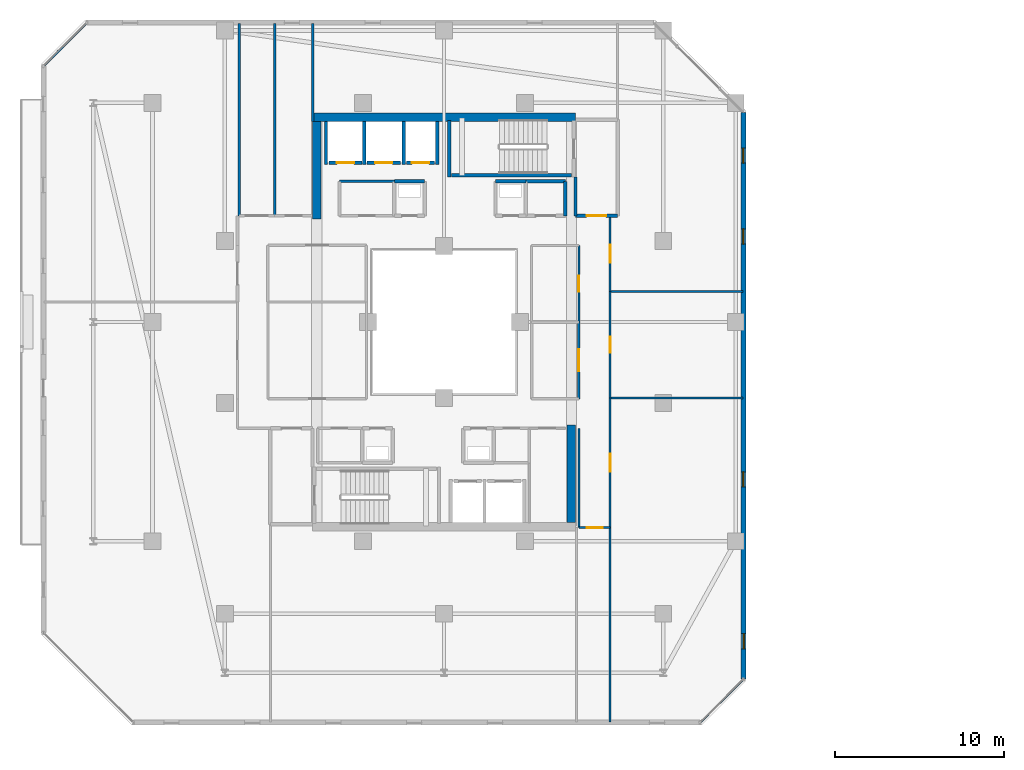
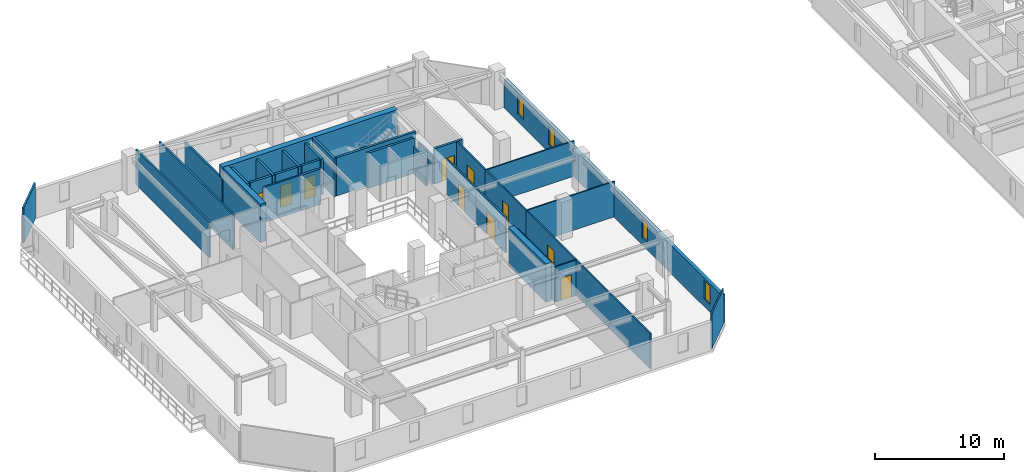
# One storey, part 20 of 32: 35 walls, 10 doors, 4 windows, 14 openings.
"""IFC4 building model written with IfcOpenShell, lengths in metres."""

import ifcopenshell
import ifcopenshell.guid

model = None  # the IFC model being written
_history = None  # IfcOwnerHistory: only IFC2X3 demands one
_inside = {}  # id of a spatial element -> (the spatial element, [elements in it])
_under = {}  # id of a project, library or spatial element -> (it, [spatial elements below it])
_declared = {}  # id of a project -> (the project, [libraries it declares])
_typed = {}  # id of a type object -> (the type object, [elements of that type])
_made_of = {}  # id of a material, layer set ... -> (it, [elements and type objects made of it])


def new_model(schema):
    """Start an empty IFC model of exactly this schema.

    Asked for "IFC4X3", IfcOpenShell would pick the latest addendum, in which some entities
    have other attributes; the version numbers below select the first issue.
    IFC2X3 requires an IfcOwnerHistory on every rooted entity: one is made here for all.
    """
    global model, _history
    if schema == "IFC4X3":
        model = ifcopenshell.file(schema_version=(4, 3, 0, 0))
    else:
        model = ifcopenshell.file(schema=schema)
    _inside.clear()
    _under.clear()
    _declared.clear()
    _typed.clear()
    _made_of.clear()
    _history = None
    if model.schema == "IFC2X3":
        org = make("IfcOrganization", Name="unknown")
        user = make(
            "IfcPersonAndOrganization",
            ThePerson=make("IfcPerson", FamilyName="unknown"),
            TheOrganization=org,
        )
        app = make(
            "IfcApplication",
            ApplicationDeveloper=org,
            Version="unknown",
            ApplicationFullName="unknown",
            ApplicationIdentifier="unknown",
        )
        _history = make(
            "IfcOwnerHistory",
            OwningUser=user,
            OwningApplication=app,
            ChangeAction="ADDED",
            CreationDate=0,
        )
    return model


def make(cls, **values):
    """One entity of the class cls with the attributes given. An attribute that is None is left unset."""
    return model.create_entity(
        cls, **{name: value for name, value in values.items() if value is not None}
    )


def rooted(cls, **values):
    """An entity with a GlobalId (a new one), such as an element, a storey or a relation."""
    return make(cls, GlobalId=ifcopenshell.guid.new(), OwnerHistory=_history, **values)


def si_unit(unit_type, name, prefix=None):
    """IfcSIUnit, for example si_unit("LENGTHUNIT", "METRE", prefix="MILLI")."""
    return make("IfcSIUnit", UnitType=unit_type, Prefix=prefix, Name=name)


def assignment(units):
    """IfcUnitAssignment: the units of a project."""
    return None if units is None else make("IfcUnitAssignment", Units=units)


def point(xyz):
    """IfcCartesianPoint."""
    return None if xyz is None else make("IfcCartesianPoint", Coordinates=xyz)


def direction(xyz):
    """IfcDirection."""
    return None if xyz is None else make("IfcDirection", DirectionRatios=xyz)


def frame(location, z_axis=None, x_axis=None):
    """IfcAxis2Placement3D, a coordinate frame: its origin and axes. An axis left out is left unset."""
    return make(
        "IfcAxis2Placement3D",
        Location=point(location),
        Axis=direction(z_axis),
        RefDirection=direction(x_axis),
    )


def frame_2d(location, x_axis=None):
    """IfcAxis2Placement2D, a coordinate frame in the plane: its origin and x axis."""
    return make(
        "IfcAxis2Placement2D", Location=point(location), RefDirection=direction(x_axis)
    )


def origin():
    """The frame at (0, 0, 0) with its axes left unset."""
    return frame((0.0, 0.0, 0.0))


def place(relative_to, where):
    """IfcLocalPlacement: puts the frame where relative to a parent placement (None: the world)."""
    return make(
        "IfcLocalPlacement", PlacementRelTo=relative_to, RelativePlacement=where
    )


def context(
    kind, dimensions, precision=None, world=None, true_north=None, identifier=None
):
    """IfcGeometricRepresentationContext, for example the 3D "Model" context."""
    return make(
        "IfcGeometricRepresentationContext",
        ContextIdentifier=identifier,
        ContextType=kind,
        CoordinateSpaceDimension=dimensions,
        Precision=precision,
        WorldCoordinateSystem=world,
        TrueNorth=true_north,
    )


def subcontext(parent, identifier, kind, view, scale=None):
    """IfcGeometricRepresentationSubContext, for example "Body" below "Model"."""
    return make(
        "IfcGeometricRepresentationSubContext",
        ContextIdentifier=identifier,
        ContextType=kind,
        ParentContext=parent,
        TargetScale=scale,
        TargetView=view,
    )


def project(units=None, contexts=None):
    """IfcProject with its units and contexts."""
    return rooted(
        "IfcProject",
        Name="project",
        RepresentationContexts=contexts,
        UnitsInContext=assignment(units),
    )


def spatial(cls, under=None, at=None, **own):
    """A site, building, storey or space (cls), placed at a placement, below another one or the project."""
    s = rooted(cls, ObjectPlacement=at, **own)
    if under is not None:
        _under.setdefault(under.id(), (under, []))[1].append(s)
    return s


def profile(cls, at=None, kind="AREA", **sizes):
    """A parametric profile (cls). Its sizes go by their IFC names, for example OverallWidth=200.0."""
    return make(cls, ProfileType=kind, Position=at, **sizes)


def rectangle(**sizes):
    """IfcRectangleProfileDef."""
    return profile("IfcRectangleProfileDef", **sizes)


def extrude(swept, where, along, depth):
    """IfcExtrudedAreaSolid: the profile swept, set in the frame where, extruded along a direction by depth."""
    return make(
        "IfcExtrudedAreaSolid",
        SweptArea=swept,
        Position=where,
        ExtrudedDirection=direction(along),
        Depth=depth,
    )


def shape(context_of_items, identifier, shape_type, items):
    """IfcShapeRepresentation: the items that make up one representation, for example the "Body"."""
    return make(
        "IfcShapeRepresentation",
        ContextOfItems=context_of_items,
        RepresentationIdentifier=identifier,
        RepresentationType=shape_type,
        Items=items,
    )


def material(Name=None, Category=None):
    """IfcMaterial."""
    return make("IfcMaterial", Name=Name, Category=Category)


def layer(
    of_material, thickness, ventilated=None, Name=None, Category=None, Priority=None
):
    """IfcMaterialLayer: one layer of a wall or slab, of a material (None: an air gap)."""
    return make(
        "IfcMaterialLayer",
        Material=of_material,
        LayerThickness=thickness,
        IsVentilated=ventilated,
        Name=Name,
        Category=Category,
        Priority=Priority,
    )


def layer_set(layers, Name=None):
    """IfcMaterialLayerSet."""
    return make("IfcMaterialLayerSet", MaterialLayers=layers, LayerSetName=Name)


def made_of(thing, what):
    """Note that an element or type object is made of a material, layer set ...; save() writes the relation."""
    if what is not None:
        _made_of.setdefault(what.id(), (what, []))[1].append(thing)
    return thing


def type_object(cls, material=None, **own):
    """A type object (cls), such as IfcWallType, which elements share."""
    return made_of(rooted(cls, **own), material)


def element(
    cls,
    number,
    at=None,
    inside=None,
    cuts=None,
    type_object=None,
    material=None,
    context=None,
    identifier="Body",
    shape_type=None,
    held_by="IfcProductDefinitionShape",
    body=None,
    shapes=None,
    **own,
):
    """One element of the class cls, such as IfcWall. Its Tag is "e" and its number.

    at: its placement. inside: the storey or other place that contains it. cuts: it is an
    opening in that element (IfcRelVoidsElement). A single representation is given by context,
    identifier, shape_type and body (its items); several are given by shapes. held_by: the class
    of the entity that holds the representations. save() writes the other relations.
    """
    e = rooted(cls, Tag="e%d" % number, ObjectPlacement=at, **own)
    if body is not None:
        shapes = [shape(context, identifier, shape_type, body)]
    if shapes is not None:
        e.Representation = make(held_by, Representations=shapes)
    if inside is not None:
        _inside.setdefault(inside.id(), (inside, []))[1].append(e)
    if cuts is not None:
        rooted(
            "IfcRelVoidsElement", RelatingBuildingElement=cuts, RelatedOpeningElement=e
        )
    if type_object is not None:
        _typed.setdefault(type_object.id(), (type_object, []))[1].append(e)
    return made_of(e, material)


def fill(opening, filler):
    """IfcRelFillsElement: the door or window that sits in an opening."""
    return rooted(
        "IfcRelFillsElement",
        RelatingOpeningElement=opening,
        RelatedBuildingElement=filler,
    )


def aggregate(whole, parts):
    """IfcRelAggregates: a whole, such as a stair, and the parts it consists of."""
    return rooted("IfcRelAggregates", RelatingObject=whole, RelatedObjects=parts)


def save(model, path):
    """Write the relations noted so far, then the file.

    IfcRelAggregates (storeys below a building ...), IfcRelContainedInSpatialStructure (elements
    in a storey), IfcRelDefinesByType, IfcRelAssociatesMaterial and IfcRelDeclares: one each for
    every whole, place, type object, material and project.
    """
    for whole, parts in _under.values():
        aggregate(whole, parts)
    for where, things in _inside.values():
        rooted(
            "IfcRelContainedInSpatialStructure",
            RelatedElements=things,
            RelatingStructure=where,
        )
    for kind, things in _typed.values():
        rooted("IfcRelDefinesByType", RelatedObjects=things, RelatingType=kind)
    for what, things in _made_of.values():
        rooted("IfcRelAssociatesMaterial", RelatedObjects=things, RelatingMaterial=what)
    for by, libraries in _declared.values():
        rooted("IfcRelDeclares", RelatingContext=by, RelatedDefinitions=libraries)
    model.write(path)


model = new_model("IFC4")

# Units and contexts
model_context = context("Model", 3, precision=1e-05, world=origin(), true_north=direction((0.0, 1.0)))
body_context = subcontext(model_context, "Body", "Model", "MODEL_VIEW")
ifc_project = project(units=[si_unit("LENGTHUNIT", "METRE"), si_unit("AREAUNIT", "SQUARE_METRE"), si_unit("VOLUMEUNIT", "CUBIC_METRE"), si_unit("PLANEANGLEUNIT", "RADIAN"), si_unit("MASSUNIT", "GRAM", prefix="KILO")], contexts=[model_context])

# Site, building, storey
site_placement = place(None, origin())
site = spatial("IfcSite", under=ifc_project, at=site_placement, CompositionType="ELEMENT")
building_placement = place(site_placement, origin())
building = spatial("IfcBuilding", under=site, at=building_placement, Name="Thornwick Lancets Civic Towers", CompositionType="ELEMENT")
storey_placement = place(building_placement, frame((0.0, 0.0, 240.300048828125)))
storey = spatial("IfcBuildingStorey", under=building, at=storey_placement, Name="L64", CompositionType="ELEMENT", Elevation=240.300048828125)

# Wall, opening, door
ifc_material_1 = material(Name="Concrete blockwork C40/50", Category="masonry")
ifc_layer_1 = layer(ifc_material_1, 0.199951171875, Name="Concrete blockwork C40/50")
ifc_layer_set_1 = layer_set([ifc_layer_1], Name="Concrete blockwork C40/50")
wall_type_1 = type_object("IfcWallType", Name="WALL_COMP_200", PredefinedType="STANDARD", material=ifc_layer_set_1)
wall_1_placement = place(storey_placement, frame((24.919921875, 36.449951171875, 0.0), z_axis=(0.0, 0.0, 1.0), x_axis=(-1.0, 0.0, 0.0)))
wall_1 = element("IfcWall", 1, at=wall_1_placement, inside=storey, type_object=wall_type_1, Name="L64 Hoistway Front Wall FL-A2", PredefinedType="STANDARD", context=body_context, shape_type="SweptSolid", body=[
    extrude(rectangle(XDim=1.639892578125, YDim=0.199951171875, at=frame_2d((0.81982421875, 0.0))), origin(), (0.0, 0.0, 1.0), 3.33984375),
])
opening_1_placement = place(wall_1_placement, frame((0.31005859375, 0.0, 0.0)))
opening_1 = element("IfcOpeningElement", 2, at=opening_1_placement, cuts=wall_1, Name="Opening LD-FL-A2", PredefinedType="OPENING", context=body_context, shape_type="SweptSolid", body=[
    extrude(rectangle(XDim=1.02001953125, YDim=2.06005859375, at=frame_2d((0.510009765625, 1.030029296875))), frame((0.0, 0.10986328125, 0.0), z_axis=(0.0, -1.0, 0.0), x_axis=(1.0, 0.0, 0.0)), (0.0, 0.0, 1.0), 0.219970703125),
])
ifc_material_2 = material(Name="Brushed bronze stainless steel", Category="steel")
door_type_1 = type_object("IfcDoorType", Name="DOOR_LIFT_SLIDE", OperationType="SLIDING_TO_LEFT", PredefinedType="DOOR", material=ifc_material_2)
door_1_placement = place(opening_1_placement, origin())
door_1 = element("IfcDoor", 3, at=door_1_placement, inside=storey, type_object=door_type_1, Name="L64 Sliding Lift Landing Door LD-FL-A2", OperationType="SLIDING_TO_LEFT", OverallHeight=2.06005859375, OverallWidth=1.02001953125, PredefinedType="DOOR", context=body_context, shape_type="SweptSolid", body=[
    extrude(rectangle(XDim=1.02001953125, YDim=2.06005859375, at=frame_2d((0.510009765625, 1.030029296875))), frame((0.0, 0.02490234375, 0.0), z_axis=(0.0, -1.0, 0.0), x_axis=(1.0, 0.0, 0.0)), (0.0, 0.0, 1.0), 0.050048828125),
])
fill(opening_1, door_1)

wall_2_placement = place(storey_placement, frame((22.919921875, 36.449951171875, 0.0), z_axis=(0.0, 0.0, 1.0), x_axis=(-1.0, 0.0, 0.0)))
wall_2 = element("IfcWall", 4, at=wall_2_placement, inside=storey, type_object=wall_type_1, Name="L64 Hoistway Front Wall PL-AH2", PredefinedType="STANDARD", context=body_context, shape_type="SweptSolid", body=[
    extrude(rectangle(XDim=1.989990234375, YDim=0.199951171875, at=frame_2d((0.9951171875, 0.0))), origin(), (0.0, 0.0, 1.0), 3.33984375),
])
opening_2_placement = place(wall_2_placement, frame((0.485107421875, 0.0, 0.0)))
opening_2 = element("IfcOpeningElement", 5, at=opening_2_placement, cuts=wall_2, Name="Opening LD-PL-AH2", PredefinedType="OPENING", context=body_context, shape_type="SweptSolid", body=[
    extrude(rectangle(XDim=1.02001953125, YDim=2.06005859375, at=frame_2d((0.510009765625, 1.030029296875))), frame((0.0, 0.10986328125, 0.0), z_axis=(0.0, -1.0, 0.0), x_axis=(1.0, 0.0, 0.0)), (0.0, 0.0, 1.0), 0.219970703125),
])
door_2_placement = place(opening_2_placement, origin())
door_2 = element("IfcDoor", 6, at=door_2_placement, inside=storey, type_object=door_type_1, Name="L64 Sliding Lift Landing Door LD-PL-AH2", OperationType="SLIDING_TO_LEFT", OverallHeight=2.06005859375, OverallWidth=1.02001953125, PredefinedType="DOOR", context=body_context, shape_type="SweptSolid", body=[
    extrude(rectangle(XDim=1.02001953125, YDim=2.06005859375, at=frame_2d((0.510009765625, 1.030029296875))), frame((0.0, 0.02490234375, 0.0), z_axis=(0.0, -1.0, 0.0), x_axis=(1.0, 0.0, 0.0)), (0.0, 0.0, 1.0), 0.050048828125),
])
fill(opening_2, door_2)

wall_3_placement = place(storey_placement, frame((20.6201171875, 36.449951171875, 0.0), z_axis=(0.0, 0.0, 1.0), x_axis=(-1.0, 0.0, 0.0)))
wall_3 = element("IfcWall", 7, at=wall_3_placement, inside=storey, type_object=wall_type_1, Name="L64 Hoistway Front Wall PL-AH3", PredefinedType="STANDARD", context=body_context, shape_type="SweptSolid", body=[
    extrude(rectangle(XDim=1.940185546875, YDim=0.199951171875, at=frame_2d((0.97021484375, 0.0))), origin(), (0.0, 0.0, 1.0), 3.33984375),
])
opening_3_placement = place(wall_3_placement, frame((0.4599609375, 0.0, 0.0)))
opening_3 = element("IfcOpeningElement", 8, at=opening_3_placement, cuts=wall_3, Name="Opening LD-PL-AH3", PredefinedType="OPENING", context=body_context, shape_type="SweptSolid", body=[
    extrude(rectangle(XDim=1.02001953125, YDim=2.06005859375, at=frame_2d((0.510009765625, 1.030029296875))), frame((0.0, 0.10986328125, 0.0), z_axis=(0.0, -1.0, 0.0), x_axis=(1.0, 0.0, 0.0)), (0.0, 0.0, 1.0), 0.219970703125),
])
door_3_placement = place(opening_3_placement, origin())
door_3 = element("IfcDoor", 9, at=door_3_placement, inside=storey, type_object=door_type_1, Name="L64 Sliding Lift Landing Door LD-PL-AH3", OperationType="SLIDING_TO_LEFT", OverallHeight=2.06005859375, OverallWidth=1.02001953125, PredefinedType="DOOR", context=body_context, shape_type="SweptSolid", body=[
    extrude(rectangle(XDim=1.02001953125, YDim=2.06005859375, at=frame_2d((0.510009765625, 1.030029296875))), frame((0.0, 0.02490234375, 0.0), z_axis=(0.0, -1.0, 0.0), x_axis=(1.0, 0.0, 0.0)), (0.0, 0.0, 1.0), 0.050048828125),
])
fill(opening_3, door_3)

# Walls
for number, where, z_axis, x_axis, name in (
    (10, (25.10009765625, 36.35205078125, 0.0), (0.0, 0.0, 1.0), (0.0, 1.0, 0.0), "L64 Hoistway Shaft Wall FL-A2 E"),
    (11, (23.10009765625, 36.35205078125, 0.0), (0.0, 0.0, 1.0), (0.0, 1.0, 0.0), "L64 Hoistway Shaft Wall FL-A2 W"),
    (12, (20.77490234375, 36.35205078125, 0.0), (0.0, 0.0, 1.0), (0.0, 1.0, 0.0), "L64 Hoistway Shaft Wall PL-AH2 W"),
    (13, (18.5, 36.35205078125, 0.0), (0.0, 0.0, 1.0), (0.0, 1.0, 0.0), "L64 Hoistway Shaft Wall PL-AH3 W"),
):
    element("IfcWall", number, at=place(storey_placement, frame(where, z_axis=z_axis, x_axis=x_axis)), inside=storey, type_object=wall_type_1, Name=name, PredefinedType="STANDARD", context=body_context, shape_type="SweptSolid", body=[
        extrude(rectangle(XDim=2.535888671875, YDim=0.199951171875, at=frame_2d((1.26806640625, 0.0))), origin(), (0.0, 0.0, 1.0), 3.33984375),
    ])

# Wall, opening, door
wall_4_placement = place(storey_placement, frame((33.300048828125, 33.300048828125, 0.0), z_axis=(0.0, 0.0, 1.0), x_axis=(1.0, 0.0, 0.0)))
wall_4 = element("IfcWall", 14, at=wall_4_placement, inside=storey, type_object=wall_type_1, Name="L64 Partition L64-A-FFLOB2 E1", PredefinedType="STANDARD", context=body_context, shape_type="SweptSolid", body=[
    extrude(rectangle(XDim=2.5, YDim=0.199951171875, at=frame_2d((1.25, 0.0))), origin(), (0.0, 0.0, 1.0), 3.33984375),
])
opening_4_placement = place(wall_4_placement, frame((0.659912109375, 0.0, 0.0)))
opening_4 = element("IfcOpeningElement", 15, at=opening_4_placement, cuts=wall_4, Name="Opening D-L64-2874", PredefinedType="OPENING", context=body_context, shape_type="SweptSolid", body=[
    extrude(rectangle(XDim=1.14990234375, YDim=2.10009765625, at=frame_2d((0.574951171875, 1.050048828125))), frame((0.0, 0.10986328125, 0.0), z_axis=(0.0, -1.0, 0.0), x_axis=(1.0, 0.0, 0.0)), (0.0, 0.0, 1.0), 0.219970703125),
])
ifc_material_3 = material(Name="Glazed fire-resisting steel", Category="steel")
door_type_2 = type_object("IfcDoorType", Name="DOOR_LOBBY_FD60", OperationType="NOTDEFINED", PredefinedType="DOOR", material=ifc_material_3)
door_4_placement = place(opening_4_placement, origin())
door_4 = element("IfcDoor", 16, at=door_4_placement, inside=storey, type_object=door_type_2, Name="L64 North Firefighting Lobby 2 Door", OperationType="SINGLE_SWING_LEFT", OverallHeight=2.10009765625, OverallWidth=1.14990234375, PredefinedType="DOOR", context=body_context, shape_type="SweptSolid", body=[
    extrude(rectangle(XDim=1.14990234375, YDim=2.10009765625, at=frame_2d((0.574951171875, 1.050048828125))), frame((0.0, 0.02490234375, 0.0), z_axis=(0.0, -1.0, 0.0), x_axis=(1.0, 0.0, 0.0)), (0.0, 0.0, 1.0), 0.050048828125),
])
fill(opening_4, door_4)

# Walls
wall_5_placement = place(storey_placement, frame((33.300048828125, 35.60009765625, 0.0), z_axis=(0.0, 0.0, 1.0), x_axis=(0.0, -1.0, 0.0)))
element("IfcWall", 17, at=wall_5_placement, inside=storey, type_object=wall_type_1, Name="L64 Partition L64-A-FFLOB2 E4", PredefinedType="STANDARD", context=body_context, shape_type="SweptSolid", body=[
    extrude(rectangle(XDim=2.300048828125, YDim=0.199951171875, at=frame_2d((1.14990234375, 0.0))), origin(), (0.0, 0.0, 1.0), 2.544921875),
])
for number, where, z_axis, x_axis, name in (
    (18, (24.35009765625, 35.35009765625, 0.0), (0.0, 0.0, 1.0), (-1.0, 0.0, 0.0), "L64 Partition L64-A-DUCT2 E3"),
    (19, (30.35009765625, 35.35009765625, 0.0), (0.0, 0.0, 1.0), (-1.0, 0.0, 0.0), "L64 Partition L64-A-RISER2 E3"),
):
    element("IfcWall", number, at=place(storey_placement, frame(where, z_axis=z_axis, x_axis=x_axis)), inside=storey, type_object=wall_type_1, Name=name, PredefinedType="STANDARD", context=body_context, shape_type="SweptSolid", body=[
        extrude(rectangle(XDim=1.800048828125, YDim=0.199951171875, at=frame_2d((0.89990234375, 0.0))), origin(), (0.0, 0.0, 1.0), 3.33984375),
    ])
wall_6_placement = place(storey_placement, frame((32.699951171875, 35.35009765625, 0.0), z_axis=(0.0, 0.0, 1.0), x_axis=(0.0, -1.0, 0.0)))
element("IfcWall", 20, at=wall_6_placement, inside=storey, type_object=wall_type_1, Name="L64 Partition L64-A-STR E1", PredefinedType="STANDARD", context=body_context, shape_type="SweptSolid", body=[
    extrude(rectangle(XDim=2.050048828125, YDim=0.199951171875, at=frame_2d((1.02490234375, 0.0))), origin(), (0.0, 0.0, 1.0), 2.544921875),
])
wall_7_placement = place(storey_placement, frame((30.35009765625, 35.35009765625, 0.0), z_axis=(0.0, 0.0, 1.0), x_axis=(1.0, 0.0, 0.0)))
element("IfcWall", 21, at=wall_7_placement, inside=storey, type_object=wall_type_1, Name="L64 Partition L64-A-STR E4", PredefinedType="STANDARD", context=body_context, shape_type="SweptSolid", body=[
    extrude(rectangle(XDim=2.349853515625, YDim=0.199951171875, at=frame_2d((1.1748046875, 0.0))), origin(), (0.0, 0.0, 1.0), 3.33984375),
])
ifc_material_4 = material(Name="Concrete C50/60", Category="concrete")
ifc_layer_2 = layer(ifc_material_4, 0.5, Name="Concrete C50/60")
ifc_layer_set_2 = layer_set([ifc_layer_2], Name="Concrete C50/60")
wall_type_2 = type_object("IfcWallType", Name="WALL_CORE_500", PredefinedType="SHEAR", material=ifc_layer_set_2)
wall_8_placement = place(storey_placement, frame((33.050048828125, 15.10009765625, 0.0), z_axis=(0.0, 0.0, 1.0), x_axis=(0.0, 1.0, 0.0)))
element("IfcWall", 22, at=wall_8_placement, inside=storey, type_object=wall_type_2, Name="L64 Split Core A1 Shear Wall E", PredefinedType="SHEAR", context=body_context, shape_type="SweptSolid", body=[
    extrude(rectangle(XDim=5.7998046875, YDim=0.5, at=frame_2d((2.89990234375, 0.0))), origin(), (0.0, 0.0, 1.0), 3.599853515625),
])
wall_9_placement = place(storey_placement, frame((17.699951171875, 39.14990234375, 0.0), z_axis=(0.0, 0.0, 1.0), x_axis=(1.0, 0.0, 0.0)))
element("IfcWall", 23, at=wall_9_placement, inside=storey, type_object=wall_type_2, Name="L64 Split Core A2 Shear Wall N", PredefinedType="SHEAR", context=body_context, shape_type="SweptSolid", body=[
    extrude(rectangle(XDim=15.60009765625, YDim=0.5, at=frame_2d((7.800048828125, 0.0))), origin(), (0.0, 0.0, 1.0), 3.599853515625),
])
wall_10_placement = place(storey_placement, frame((17.949951171875, 33.10009765625, 0.0), z_axis=(0.0, 0.0, 1.0), x_axis=(0.0, 1.0, 0.0)))
element("IfcWall", 24, at=wall_10_placement, inside=storey, type_object=wall_type_2, Name="L64 Split Core A2 Shear Wall W", PredefinedType="SHEAR", context=body_context, shape_type="SweptSolid", body=[
    extrude(rectangle(XDim=5.7998046875, YDim=0.5, at=frame_2d((2.89990234375, 0.0))), origin(), (0.0, 0.0, 1.0), 3.599853515625),
])

# Wall, openings, windows
ifc_material_5 = material(Name="Insulated russet terracotta rainscreen on concrete C40/50", Category="masonry")
ifc_layer_3 = layer(ifc_material_5, 0.300048828125, Name="Insulated russet terracotta rainscreen on concrete C40/50")
ifc_layer_set_3 = layer_set([ifc_layer_3], Name="Insulated russet terracotta rainscreen on concrete C40/50")
wall_type_3 = type_object("IfcWallType", Name="WALL_EXT_RUSSET_300", PredefinedType="STANDARD", material=ifc_layer_set_3)
wall_11_placement = place(storey_placement, frame((43.2646484375, 5.818603515625, 0.0), z_axis=(0.0, 0.0, 1.0), x_axis=(-0.000268805477, 0.999999963872, 0.0)))
wall_11 = element("IfcWall", 25, at=wall_11_placement, inside=storey, type_object=wall_type_3, Name="L64 Tower A Terracotta Facade Wall E2", PredefinedType="STANDARD", context=body_context, shape_type="SweptSolid", body=[
    extrude(rectangle(XDim=33.60498046875, YDim=0.300048828125, at=frame_2d((16.802490234375, 0.0))), origin(), (0.0, 0.0, 1.0), 2.699951171875),
])
opening_5_placement = place(wall_11_placement, frame((1.800048828125, 0.0, 0.719970703125)))
opening_5 = element("IfcOpeningElement", 26, at=opening_5_placement, cuts=wall_11, Name="Opening WL-01", PredefinedType="OPENING", context=body_context, shape_type="SweptSolid", body=[
    extrude(rectangle(XDim=0.89990234375, YDim=1.75, at=frame_2d((0.449951171875, 0.875))), frame((0.0, 0.16015625, 0.0), z_axis=(0.0, -1.0, 0.0), x_axis=(1.0, 0.0, 0.0)), (0.0, 0.0, 1.0), 0.320068359375),
])
opening_6_placement = place(wall_11_placement, frame((11.39990234375, 0.0, 0.719970703125)))
opening_6 = element("IfcOpeningElement", 27, at=opening_6_placement, cuts=wall_11, Name="Opening WL-01", PredefinedType="OPENING", context=body_context, shape_type="SweptSolid", body=[
    extrude(rectangle(XDim=0.89990234375, YDim=1.75, at=frame_2d((0.449951171875, 0.875))), frame((0.0, 0.16015625, 0.0), z_axis=(0.0, -1.0, 0.0), x_axis=(1.0, 0.0, 0.0)), (0.0, 0.0, 1.0), 0.320068359375),
])
opening_7_placement = place(wall_11_placement, frame((25.800048828125, 0.0, 0.719970703125)))
opening_7 = element("IfcOpeningElement", 28, at=opening_7_placement, cuts=wall_11, Name="Opening WL-01", PredefinedType="OPENING", context=body_context, shape_type="SweptSolid", body=[
    extrude(rectangle(XDim=0.89990234375, YDim=1.75, at=frame_2d((0.449951171875, 0.875))), frame((0.0, 0.16015625, 0.0), z_axis=(0.0, -1.0, 0.0), x_axis=(1.0, 0.0, 0.0)), (0.0, 0.0, 1.0), 0.320068359375),
])
opening_8_placement = place(wall_11_placement, frame((30.60009765625, 0.0, 0.719970703125)))
opening_8 = element("IfcOpeningElement", 29, at=opening_8_placement, cuts=wall_11, Name="Opening WL-01", PredefinedType="OPENING", context=body_context, shape_type="SweptSolid", body=[
    extrude(rectangle(XDim=0.89990234375, YDim=1.75, at=frame_2d((0.449951171875, 0.875))), frame((0.0, 0.16015625, 0.0), z_axis=(0.0, -1.0, 0.0), x_axis=(1.0, 0.0, 0.0)), (0.0, 0.0, 1.0), 0.320068359375),
])
ifc_material_6 = material(Name="Clear low-e double glazing in bronze frame", Category="glass")
window_type = type_object("IfcWindowType", Name="WIN_LANCET_900", PartitioningType="SINGLE_PANEL", PredefinedType="WINDOW", material=ifc_material_6)
window_1_placement = place(opening_5_placement, origin())
window_1 = element("IfcWindow", 30, at=window_1_placement, inside=storey, type_object=window_type, Name="L64 Tower A Staggered Lancet Window E2-1", OverallHeight=1.75, OverallWidth=0.89990234375, PartitioningType="SINGLE_PANEL", PredefinedType="WINDOW", context=body_context, shape_type="SweptSolid", body=[
    extrude(rectangle(XDim=0.89990234375, YDim=1.75, at=frame_2d((0.449951171875, 0.875))), frame((0.0, 0.030029296875, 0.0), z_axis=(0.0, -1.0, 0.0), x_axis=(1.0, 0.0, 0.0)), (0.0, 0.0, 1.0), 0.06005859375),
])
fill(opening_5, window_1)
window_2_placement = place(opening_6_placement, origin())
window_2 = element("IfcWindow", 31, at=window_2_placement, inside=storey, type_object=window_type, Name="L64 Tower A Staggered Lancet Window E2-2", OverallHeight=1.75, OverallWidth=0.89990234375, PartitioningType="SINGLE_PANEL", PredefinedType="WINDOW", context=body_context, shape_type="SweptSolid", body=[
    extrude(rectangle(XDim=0.89990234375, YDim=1.75, at=frame_2d((0.449951171875, 0.875))), frame((0.0, 0.030029296875, 0.0), z_axis=(0.0, -1.0, 0.0), x_axis=(1.0, 0.0, 0.0)), (0.0, 0.0, 1.0), 0.06005859375),
])
fill(opening_6, window_2)
window_3_placement = place(opening_7_placement, origin())
window_3 = element("IfcWindow", 32, at=window_3_placement, inside=storey, type_object=window_type, Name="L64 Tower A Staggered Lancet Window E2-3", OverallHeight=1.75, OverallWidth=0.89990234375, PartitioningType="SINGLE_PANEL", PredefinedType="WINDOW", context=body_context, shape_type="SweptSolid", body=[
    extrude(rectangle(XDim=0.89990234375, YDim=1.75, at=frame_2d((0.449951171875, 0.875))), frame((0.0, 0.030029296875, 0.0), z_axis=(0.0, -1.0, 0.0), x_axis=(1.0, 0.0, 0.0)), (0.0, 0.0, 1.0), 0.06005859375),
])
fill(opening_7, window_3)
window_4_placement = place(opening_8_placement, origin())
window_4 = element("IfcWindow", 33, at=window_4_placement, inside=storey, type_object=window_type, Name="L64 Tower A Staggered Lancet Window E2-4", OverallHeight=1.75, OverallWidth=0.89990234375, PartitioningType="SINGLE_PANEL", PredefinedType="WINDOW", context=body_context, shape_type="SweptSolid", body=[
    extrude(rectangle(XDim=0.89990234375, YDim=1.75, at=frame_2d((0.449951171875, 0.875))), frame((0.0, 0.030029296875, 0.0), z_axis=(0.0, -1.0, 0.0), x_axis=(1.0, 0.0, 0.0)), (0.0, 0.0, 1.0), 0.06005859375),
])
fill(opening_8, window_4)

# Wall
ifc_material_7 = material(Name="Acoustic gypsum board partition")
ifc_layer_4 = layer(ifc_material_7, 0.1201171875, Name="Acoustic gypsum board partition")
ifc_layer_set_4 = layer_set([ifc_layer_4], Name="Acoustic gypsum board partition")
wall_type_4 = type_object("IfcWallType", Name="WALL_PART_120", PredefinedType="PARTITIONING", material=ifc_layer_set_4)
wall_12_placement = place(storey_placement, frame((33.5, 20.699951171875, 0.0), z_axis=(0.0, 0.0, 1.0), x_axis=(0.0, -1.0, 0.0)))
element("IfcWall", 34, at=wall_12_placement, inside=storey, type_object=wall_type_4, Name="L64 Partition L64-A-RECLAIM-L E1", PredefinedType="PARTITIONING", context=body_context, shape_type="SweptSolid", body=[
    extrude(rectangle(XDim=5.89990234375, YDim=0.1201171875, at=frame_2d((2.949951171875, 0.0))), origin(), (0.0, 0.0, 1.0), 3.33984375),
])

# Wall, opening, door
wall_13_placement = place(storey_placement, frame((33.5, 14.800048828125, 0.0), z_axis=(0.0, 0.0, 1.0), x_axis=(1.0, 0.0, 0.0)))
wall_13 = element("IfcWall", 35, at=wall_13_placement, inside=storey, type_object=wall_type_4, Name="L64 Partition L64-A-RECLAIM-L E2", PredefinedType="PARTITIONING", context=body_context, shape_type="SweptSolid", body=[
    extrude(rectangle(XDim=1.85009765625, YDim=0.1201171875, at=frame_2d((0.925048828125, 0.0))), origin(), (0.0, 0.0, 1.0), 3.33984375),
])
opening_9_placement = place(wall_13_placement, frame((0.449951171875, 0.0, 0.0)))
opening_9 = element("IfcOpeningElement", 36, at=opening_9_placement, cuts=wall_13, Name="Opening D-L64-2895", PredefinedType="OPENING", context=body_context, shape_type="SweptSolid", body=[
    extrude(rectangle(XDim=0.949951171875, YDim=2.10009765625, at=frame_2d((0.47509765625, 1.050048828125))), frame((0.0, 0.070068359375, 0.0), z_axis=(0.0, -1.0, 0.0), x_axis=(1.0, 0.0, 0.0)), (0.0, 0.0, 1.0), 0.14013671875),
])
ifc_material_8 = material(Name="European oak acoustic doorset")
door_type_3 = type_object("IfcDoorType", Name="DOOR_OFFICE_950", OperationType="NOTDEFINED", PredefinedType="DOOR", material=ifc_material_8)
door_5_placement = place(opening_9_placement, origin())
door_5 = element("IfcDoor", 37, at=door_5_placement, inside=storey, type_object=door_type_3, Name="L64 Tower A Parliamentary Drafting Library Door", OperationType="SINGLE_SWING_RIGHT", OverallHeight=2.10009765625, OverallWidth=0.949951171875, PredefinedType="DOOR", context=body_context, shape_type="SweptSolid", body=[
    extrude(rectangle(XDim=0.949951171875, YDim=2.10009765625, at=frame_2d((0.47509765625, 1.050048828125))), frame((0.0, 0.02490234375, 0.0), z_axis=(0.0, -1.0, 0.0), x_axis=(1.0, 0.0, 0.0)), (0.0, 0.0, 1.0), 0.050048828125),
])
fill(opening_9, door_5)

# Wall
wall_14_placement = place(storey_placement, frame((35.35009765625, 14.800048828125, 0.0), z_axis=(0.0, 0.0, 1.0), x_axis=(0.0, -1.0, 0.0)))
element("IfcWall", 38, at=wall_14_placement, inside=storey, type_object=wall_type_4, Name="L64 Partition L64-A-RECLAIM-L E3", PredefinedType="PARTITIONING", context=body_context, shape_type="SweptSolid", body=[
    extrude(rectangle(XDim=11.52001953125, YDim=0.1201171875, at=frame_2d((5.760009765625, 0.0))), origin(), (0.0, 0.0, 1.0), 3.33984375),
])

# Wall, opening, door
wall_15_placement = place(storey_placement, frame((35.35009765625, 14.800048828125, 0.0), z_axis=(0.0, 0.0, 1.0), x_axis=(0.0, 1.0, 0.0)))
wall_15 = element("IfcWall", 39, at=wall_15_placement, inside=storey, type_object=wall_type_4, Name="L64 Partition L64-A-E1 E3", PredefinedType="PARTITIONING", context=body_context, shape_type="SweptSolid", body=[
    extrude(rectangle(XDim=7.699951171875, YDim=0.1201171875, at=frame_2d((3.85009765625, 0.0))), origin(), (0.0, 0.0, 1.0), 3.33984375),
])
opening_10_placement = place(wall_15_placement, frame((3.324951171875, 0.0, 0.0)))
opening_10 = element("IfcOpeningElement", 40, at=opening_10_placement, cuts=wall_15, Name="Opening D-L64-2902", PredefinedType="OPENING", context=body_context, shape_type="SweptSolid", body=[
    extrude(rectangle(XDim=1.050048828125, YDim=2.10009765625, at=frame_2d((0.52490234375, 1.050048828125))), frame((0.0, 0.070068359375, 0.0), z_axis=(0.0, -1.0, 0.0), x_axis=(1.0, 0.0, 0.0)), (0.0, 0.0, 1.0), 0.14013671875),
])
ifc_material_9 = material(Name="Glazed European oak executive doorset")
door_type_4 = type_object("IfcDoorType", Name="DOOR_OFFICE_1050", OperationType="NOTDEFINED", PredefinedType="DOOR", material=ifc_material_9)
door_6_placement = place(opening_10_placement, origin())
door_6 = element("IfcDoor", 41, at=door_6_placement, inside=storey, type_object=door_type_4, Name="L64 Tower A Secretariat Open Office E1 Door", OperationType="SINGLE_SWING_LEFT", OverallHeight=2.10009765625, OverallWidth=1.050048828125, PredefinedType="DOOR", context=body_context, shape_type="SweptSolid", body=[
    extrude(rectangle(XDim=1.050048828125, YDim=2.10009765625, at=frame_2d((0.52490234375, 1.050048828125))), frame((0.0, 0.02490234375, 0.0), z_axis=(0.0, -1.0, 0.0), x_axis=(1.0, 0.0, 0.0)), (0.0, 0.0, 1.0), 0.050048828125),
])
fill(opening_10, door_6)

# Walls
wall_16_placement = place(storey_placement, frame((35.35009765625, 22.5, 0.0), z_axis=(0.0, 0.0, 1.0), x_axis=(1.0, 0.0, 0.0)))
element("IfcWall", 42, at=wall_16_placement, inside=storey, type_object=wall_type_4, Name="L64 Partition L64-A-E1 E4", PredefinedType="PARTITIONING", context=body_context, shape_type="SweptSolid", body=[
    extrude(rectangle(XDim=7.869873046875, YDim=0.1201171875, at=frame_2d((3.93505859375, 0.0))), origin(), (0.0, 0.0, 1.0), 3.33984375),
])
wall_17_placement = place(storey_placement, frame((43.219970703125, 5.774658203125, 0.0), z_axis=(0.0, 0.0, 1.0), x_axis=(-0.707106781187, -0.707106781187, 0.0)))
element("IfcWall", 43, at=wall_17_placement, inside=storey, type_object=wall_type_4, Name="L64 Partition L64-A-E1 E6", PredefinedType="PARTITIONING", context=body_context, shape_type="SweptSolid", body=[
    extrude(rectangle(XDim=3.52783203125, YDim=0.1201171875, at=frame_2d((1.763916015625, 0.0))), origin(), (0.0, 0.0, 1.0), 3.33984375),
])

# Wall, opening, door
wall_18_placement = place(storey_placement, frame((35.35009765625, 22.5, 0.0), z_axis=(0.0, 0.0, 1.0), x_axis=(0.0, 1.0, 0.0)))
wall_18 = element("IfcWall", 44, at=wall_18_placement, inside=storey, type_object=wall_type_4, Name="L64 Partition L64-A-E2 E1", PredefinedType="PARTITIONING", context=body_context, shape_type="SweptSolid", body=[
    extrude(rectangle(XDim=6.300048828125, YDim=0.1201171875, at=frame_2d((3.14990234375, 0.0))), origin(), (0.0, 0.0, 1.0), 3.33984375),
])
opening_11_placement = place(wall_18_placement, frame((2.675048828125, 0.0, 0.0)))
opening_11 = element("IfcOpeningElement", 45, at=opening_11_placement, cuts=wall_18, Name="Opening D-L64-2903", PredefinedType="OPENING", context=body_context, shape_type="SweptSolid", body=[
    extrude(rectangle(XDim=0.949951171875, YDim=2.10009765625, at=frame_2d((0.47509765625, 1.050048828125))), frame((0.0, 0.070068359375, 0.0), z_axis=(0.0, -1.0, 0.0), x_axis=(1.0, 0.0, 0.0)), (0.0, 0.0, 1.0), 0.14013671875),
])
door_7_placement = place(opening_11_placement, origin())
door_7 = element("IfcDoor", 46, at=door_7_placement, inside=storey, type_object=door_type_3, Name="L64 Tower A Visitors Reception and Waiting Door", OperationType="SINGLE_SWING_RIGHT", OverallHeight=2.10009765625, OverallWidth=0.949951171875, PredefinedType="DOOR", context=body_context, shape_type="SweptSolid", body=[
    extrude(rectangle(XDim=0.949951171875, YDim=2.10009765625, at=frame_2d((0.47509765625, 1.050048828125))), frame((0.0, 0.02490234375, 0.0), z_axis=(0.0, -1.0, 0.0), x_axis=(1.0, 0.0, 0.0)), (0.0, 0.0, 1.0), 0.050048828125),
])
fill(opening_11, door_7)

# Wall
wall_19_placement = place(storey_placement, frame((35.35009765625, 28.800048828125, 0.0), z_axis=(0.0, 0.0, 1.0), x_axis=(1.0, 0.0, 0.0)))
element("IfcWall", 47, at=wall_19_placement, inside=storey, type_object=wall_type_4, Name="L64 Partition L64-A-E2 E2", PredefinedType="PARTITIONING", context=body_context, shape_type="SweptSolid", body=[
    extrude(rectangle(XDim=7.869873046875, YDim=0.1201171875, at=frame_2d((3.93505859375, 0.0))), origin(), (0.0, 0.0, 1.0), 3.33984375),
])

# Wall, opening, door
wall_20_placement = place(storey_placement, frame((35.35009765625, 28.800048828125, 0.0), z_axis=(0.0, 0.0, 1.0), x_axis=(0.0, 1.0, 0.0)))
wall_20 = element("IfcWall", 48, at=wall_20_placement, inside=storey, type_object=wall_type_4, Name="L64 Partition L64-A-E3 E8", PredefinedType="PARTITIONING", context=body_context, shape_type="SweptSolid", body=[
    extrude(rectangle(XDim=4.5, YDim=0.1201171875, at=frame_2d((2.25, 0.0))), origin(), (0.0, 0.0, 1.0), 3.33984375),
])
opening_12_placement = place(wall_20_placement, frame((1.72509765625, 0.0, 0.0)))
opening_12 = element("IfcOpeningElement", 49, at=opening_12_placement, cuts=wall_20, Name="Opening D-L64-2904", PredefinedType="OPENING", context=body_context, shape_type="SweptSolid", body=[
    extrude(rectangle(XDim=1.050048828125, YDim=2.10009765625, at=frame_2d((0.52490234375, 1.050048828125))), frame((0.0, 0.070068359375, 0.0), z_axis=(0.0, -1.0, 0.0), x_axis=(1.0, 0.0, 0.0)), (0.0, 0.0, 1.0), 0.14013671875),
])
door_8_placement = place(opening_12_placement, origin())
door_8 = element("IfcDoor", 50, at=door_8_placement, inside=storey, type_object=door_type_4, Name="L64 Tower A Civic Seminar Room Door", OperationType="SINGLE_SWING_LEFT", OverallHeight=2.10009765625, OverallWidth=1.050048828125, PredefinedType="DOOR", context=body_context, shape_type="SweptSolid", body=[
    extrude(rectangle(XDim=1.050048828125, YDim=2.10009765625, at=frame_2d((0.52490234375, 1.050048828125))), frame((0.0, 0.02490234375, 0.0), z_axis=(0.0, -1.0, 0.0), x_axis=(1.0, 0.0, 0.0)), (0.0, 0.0, 1.0), 0.050048828125),
])
fill(opening_12, door_8)

wall_21_placement = place(storey_placement, frame((33.5, 31.550048828125, 0.0), z_axis=(0.0, 0.0, 1.0), x_axis=(0.0, -1.0, 0.0)))
wall_21 = element("IfcWall", 51, at=wall_21_placement, inside=storey, type_object=wall_type_4, Name="L64 Partition L64-A-E-ATR-2 E3", PredefinedType="PARTITIONING", context=body_context, shape_type="SweptSolid", body=[
    extrude(rectangle(XDim=4.550048828125, YDim=0.1201171875, at=frame_2d((2.27490234375, 0.0))), origin(), (0.0, 0.0, 1.0), 3.33984375),
])
opening_13_placement = place(wall_21_placement, frame((1.800048828125, 0.0, 0.0)))
opening_13 = element("IfcOpeningElement", 52, at=opening_13_placement, cuts=wall_21, Name="Opening D-L64-2906", PredefinedType="OPENING", context=body_context, shape_type="SweptSolid", body=[
    extrude(rectangle(XDim=0.949951171875, YDim=2.10009765625, at=frame_2d((0.47509765625, 1.050048828125))), frame((0.0, 0.070068359375, 0.0), z_axis=(0.0, -1.0, 0.0), x_axis=(1.0, 0.0, 0.0)), (0.0, 0.0, 1.0), 0.14013671875),
])
door_9_placement = place(opening_13_placement, origin())
door_9 = element("IfcDoor", 53, at=door_9_placement, inside=storey, type_object=door_type_3, Name="L64 Tower A Atrium Research Suite Door", OperationType="SINGLE_SWING_LEFT", OverallHeight=2.10009765625, OverallWidth=0.949951171875, PredefinedType="DOOR", context=body_context, shape_type="SweptSolid", body=[
    extrude(rectangle(XDim=0.949951171875, YDim=2.10009765625, at=frame_2d((0.47509765625, 1.050048828125))), frame((0.0, 0.02490234375, 0.0), z_axis=(0.0, -1.0, 0.0), x_axis=(1.0, 0.0, 0.0)), (0.0, 0.0, 1.0), 0.050048828125),
])
fill(opening_13, door_9)

# Walls
ifc_material_10 = material(Name="Twin-stud acoustic gypsum board")
ifc_layer_5 = layer(ifc_material_10, 0.14990234375, Name="Twin-stud acoustic gypsum board")
ifc_layer_set_5 = layer_set([ifc_layer_5], Name="Twin-stud acoustic gypsum board")
wall_type_5 = type_object("IfcWallType", Name="WALL_PART_150", PredefinedType="PARTITIONING", material=ifc_layer_set_5)
wall_22_placement = place(storey_placement, frame((19.300048828125, 35.35009765625, 0.0), z_axis=(0.0, 0.0, 1.0), x_axis=(1.0, 0.0, 0.0)))
element("IfcWall", 54, at=wall_22_placement, inside=storey, type_object=wall_type_5, Name="L64 Partition L64-A-FWC E2", PredefinedType="PARTITIONING", context=body_context, shape_type="SweptSolid", body=[
    extrude(rectangle(XDim=3.25, YDim=0.14990234375, at=frame_2d((1.625, 0.0))), origin(), (0.0, 0.0, 1.0), 3.33984375),
])
for number, where, z_axis, x_axis, name in (
    (55, (13.35009765625, 33.300048828125, 0.0), (0.0, 0.0, 1.0), (0.0, 1.0, 0.0), "L64 Partition L64-A-RECLAIM-M1 E1"),
    (56, (15.449951171875, 44.719970703125, 0.0), (0.0, 0.0, 1.0), (0.0, -1.0, 0.0), "L64 Partition L64-A-RECLAIM-M1 E3"),
):
    element("IfcWall", number, at=place(storey_placement, frame(where, z_axis=z_axis, x_axis=x_axis)), inside=storey, type_object=wall_type_5, Name=name, PredefinedType="PARTITIONING", context=body_context, shape_type="SweptSolid", body=[
        extrude(rectangle(XDim=11.419921875, YDim=0.14990234375, at=frame_2d((5.7099609375, 0.0))), origin(), (0.0, 0.0, 1.0), 3.33984375),
    ])
wall_23_placement = place(storey_placement, frame((17.699951171875, 44.719970703125, 0.0), z_axis=(0.0, 0.0, 1.0), x_axis=(0.0, -1.0, 0.0)))
element("IfcWall", 57, at=wall_23_placement, inside=storey, type_object=wall_type_5, Name="L64 Partition L64-A-RECLAIM-M2 E3", PredefinedType="PARTITIONING", context=body_context, shape_type="SweptSolid", body=[
    extrude(rectangle(XDim=5.820068359375, YDim=0.14990234375, at=frame_2d((2.91015625, 0.0))), origin(), (0.0, 0.0, 1.0), 2.544921875),
])
wall_24_placement = place(storey_placement, frame((1.780029296875, 42.225341796875, 0.0), z_axis=(0.0, 0.0, 1.0), x_axis=(0.707106781187, 0.707106781187, 0.0)))
element("IfcWall", 58, at=wall_24_placement, inside=storey, type_object=wall_type_5, Name="L64 Partition L64-A-W2 E2", PredefinedType="PARTITIONING", context=body_context, shape_type="SweptSolid", body=[
    extrude(rectangle(XDim=3.52783203125, YDim=0.14990234375, at=frame_2d((1.763916015625, 0.0))), origin(), (0.0, 0.0, 1.0), 3.33984375),
])

# Wall, opening, door
wall_25_placement = place(storey_placement, frame((33.5, 27.0, 0.0), z_axis=(0.0, 0.0, 1.0), x_axis=(0.0, -1.0, 0.0)))
wall_25 = element("IfcWall", 59, at=wall_25_placement, inside=storey, type_object=wall_type_5, Name="L64 Partition L64-A-E-ATR-1 E3", PredefinedType="PARTITIONING", context=body_context, shape_type="SweptSolid", body=[
    extrude(rectangle(XDim=4.550048828125, YDim=0.14990234375, at=frame_2d((2.27490234375, 0.0))), origin(), (0.0, 0.0, 1.0), 3.33984375),
])
opening_14_placement = place(wall_25_placement, frame((1.625, 0.0, 0.0)))
opening_14 = element("IfcOpeningElement", 60, at=opening_14_placement, cuts=wall_25, Name="Opening D-L64-2905", PredefinedType="OPENING", context=body_context, shape_type="SweptSolid", body=[
    extrude(rectangle(XDim=1.300048828125, YDim=2.1201171875, at=frame_2d((0.64990234375, 1.06005859375))), frame((0.0, 0.0849609375, 0.0), z_axis=(0.0, -1.0, 0.0), x_axis=(1.0, 0.0, 0.0)), (0.0, 0.0, 1.0), 0.169921875),
])
ifc_material_11 = material(Name="Acoustic oak leaf-and-a-half doorset")
door_type_5 = type_object("IfcDoorType", Name="DOOR_MEET_1300", OperationType="DOUBLE_DOOR_SINGLE_SWING", PredefinedType="DOOR", material=ifc_material_11)
door_10_placement = place(opening_14_placement, origin())
door_10 = element("IfcDoor", 61, at=door_10_placement, inside=storey, type_object=door_type_5, Name="L64 Tower A Atrium Briefing Room Door", OperationType="DOUBLE_DOOR_SINGLE_SWING", OverallHeight=2.1201171875, OverallWidth=1.300048828125, PredefinedType="DOOR", context=body_context, shape_type="SweptSolid", body=[
    extrude(rectangle(XDim=1.300048828125, YDim=2.1201171875, at=frame_2d((0.64990234375, 1.06005859375))), frame((0.0, 0.02490234375, 0.0), z_axis=(0.0, -1.0, 0.0), x_axis=(1.0, 0.0, 0.0)), (0.0, 0.0, 1.0), 0.050048828125),
])
fill(opening_14, door_10)

# Walls
ifc_material_12 = material(Name="Concrete C40/50", Category="concrete")
ifc_layer_6 = layer(ifc_material_12, 0.199951171875, Name="Concrete C40/50")
ifc_layer_set_6 = layer_set([ifc_layer_6], Name="Concrete C40/50")
wall_type_6 = type_object("IfcWallType", Name="WALL_SHAFT_200", PredefinedType="SHEAR", material=ifc_layer_set_6)
wall_26_placement = place(storey_placement, frame((25.800048828125, 35.60009765625, 0.0), z_axis=(0.0, 0.0, 1.0), x_axis=(0.0, 1.0, 0.0)))
element("IfcWall", 62, at=wall_26_placement, inside=storey, type_object=wall_type_6, Name="L64 ST-A2 Fire Stair Core Wall FAR", PredefinedType="SHEAR", context=body_context, shape_type="SweptSolid", body=[
    extrude(rectangle(XDim=3.349853515625, YDim=0.199951171875, at=frame_2d((1.6748046875, 0.0))), origin(), (0.0, 0.0, 1.0), 3.599853515625),
])
wall_27_placement = place(storey_placement, frame((25.949951171875, 35.702880859375, 0.0), z_axis=(0.0, 0.0, 1.0), x_axis=(1.0, 0.0, 0.0)))
element("IfcWall", 63, at=wall_27_placement, inside=storey, type_object=wall_type_6, Name="L64 ST-A2 Fire Stair Core Wall RIGHT", PredefinedType="SHEAR", context=body_context, shape_type="SweptSolid", body=[
    extrude(rectangle(XDim=7.10009765625, YDim=0.199951171875, at=frame_2d((3.550048828125, 0.0))), origin(), (0.0, 0.0, 1.0), 3.599853515625),
])

save(model, "model.ifc")
